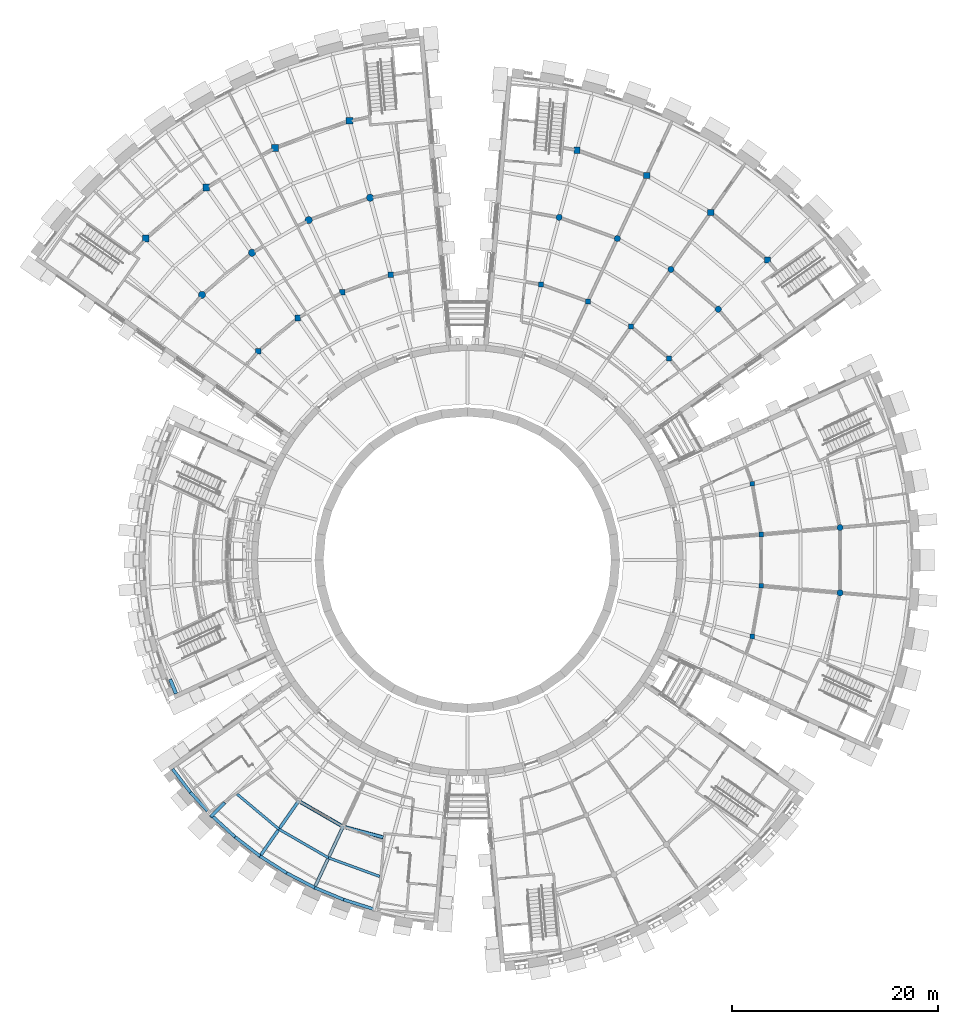
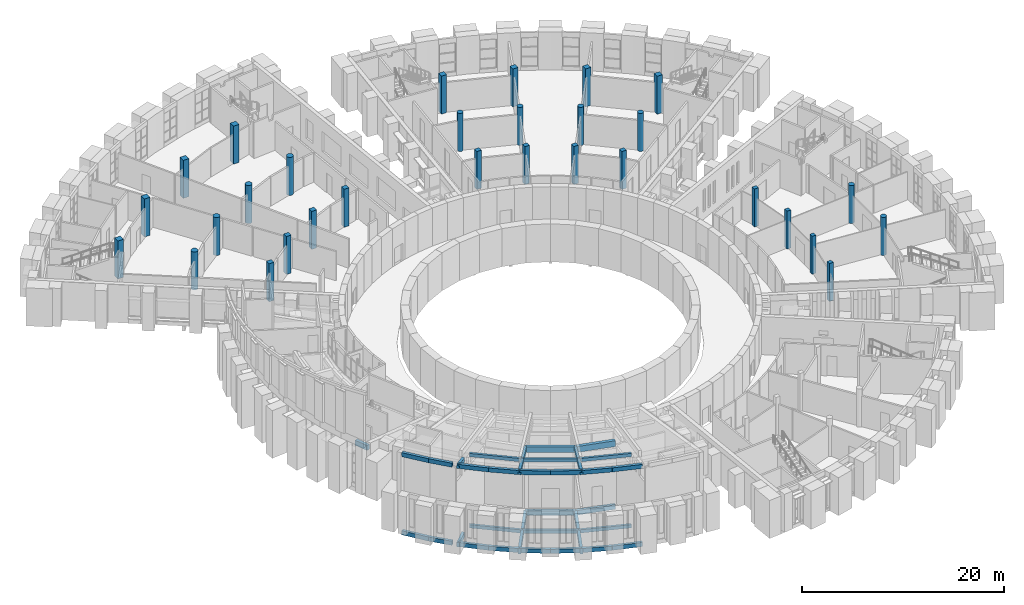
# One storey, part 3 of 66: 33 beams, 30 columns.
"""IFC4 building model written with IfcOpenShell, lengths in metres."""

from ifc_helpers import new_model, si_unit, direction, frame, origin, origin_2d, place, context, subcontext, project, spatial, rectangle, circle, extrude, material, material_profile, profile_set, type_object, element, save


model = new_model("IFC4")

# Units and contexts
model_context = context("Model", 3, precision=1e-05, world=origin(), true_north=direction((0.0, 1.0)))
body_context = subcontext(model_context, "Body", "Model", "MODEL_VIEW")
ifc_project = project(units=[si_unit("LENGTHUNIT", "METRE"), si_unit("AREAUNIT", "SQUARE_METRE"), si_unit("VOLUMEUNIT", "CUBIC_METRE"), si_unit("PLANEANGLEUNIT", "RADIAN"), si_unit("MASSUNIT", "GRAM", prefix="KILO")], contexts=[model_context])

# Site, building, storey
site_placement = place(None, origin())
site = spatial("IfcSite", under=ifc_project, at=site_placement, CompositionType="ELEMENT")
building_placement = place(site_placement, origin())
building = spatial("IfcBuilding", under=site, at=building_placement, Name="Volute Hill Aquarium", CompositionType="ELEMENT")
storey_placement = place(building_placement, frame((0.0, 0.0, 4.60009765625)))
storey = spatial("IfcBuildingStorey", under=building, at=storey_placement, Name="L02", CompositionType="ELEMENT", Elevation=4.60009765625)

# Columns
ifc_material_1 = material(Name="Concrete C35/45", Category="concrete")
ifc_material_profile_1 = material_profile(ifc_material_1, rectangle(XDim=0.449951171875, YDim=0.449951171875, at=origin_2d()), Name="RC column 450x450")
ifc_profile_set_1 = profile_set([ifc_material_profile_1], Name="Concrete C35/45")
column_type_1 = type_object("IfcColumnType", Name="Column column 450x450 C35/45", PredefinedType="COLUMN", material=ifc_profile_set_1)
for number, where, z_axis, x_axis, name in (
    (1, (27.72216796875, -7.427978515625, 0.0), (0.0, 0.0, 1.0), (1.0, 0.0, 0.0), "col/S4/L02/1.1"),
    (2, (28.5908203125, -2.50146484375, 0.0), (0.0, 0.0, 1.0), (1.0, 0.0, 0.0), "col/S4/L02/1.2"),
    (3, (28.5908203125, 2.50146484375, 0.0), (0.0, 0.0, 1.0), (1.0, 0.0, 0.0), "col/S4/L02/1.3"),
    (4, (27.72216796875, 7.427978515625, 0.0), (0.0, 0.0, 1.0), (1.0, 0.0, 0.0), "col/S4/L02/1.4"),
):
    element("IfcColumn", number, at=place(storey_placement, frame(where, z_axis=z_axis, x_axis=x_axis)), inside=storey, type_object=column_type_1, Name=name, PredefinedType="COLUMN", context=body_context, shape_type="SweptSolid", body=[
        extrude(rectangle(XDim=0.449951171875, YDim=0.449951171875, at=origin_2d()), origin(), (0.0, 0.0, 1.0), 4.599853515625),
    ])
ifc_material_2 = material(Name="Concrete C35/45", Category="concrete")
ifc_material_profile_2 = material_profile(ifc_material_2, rectangle(XDim=0.5, YDim=0.5, at=origin_2d()), Name="RC column 500x500")
ifc_profile_set_2 = profile_set([ifc_material_profile_2], Name="Concrete C35/45")
column_type_2 = type_object("IfcColumnType", Name="Column column 500x500 C35/45", PredefinedType="COLUMN", material=ifc_profile_set_2)
for number, where, z_axis, x_axis, name in (
    (5, (19.631103515625, 19.631103515625, 0.0), (0.0, 0.0, 1.0), (1.0, 0.0, 0.0), "col/S5/L02/1.1"),
    (6, (15.923828125, 22.74169921875, 0.0), (0.0, 0.0, 1.0), (1.0, 0.0, 0.0), "col/S5/L02/1.2"),
    (7, (11.73291015625, 25.161376953125, 0.0), (0.0, 0.0, 1.0), (1.0, 0.0, 0.0), "col/S5/L02/1.3"),
    (8, (7.185546875, 26.81640625, 0.0), (0.0, 0.0, 1.0), (1.0, 0.0, 0.0), "col/S5/L02/1.4"),
):
    element("IfcColumn", number, at=place(storey_placement, frame(where, z_axis=z_axis, x_axis=x_axis)), inside=storey, type_object=column_type_2, Name=name, PredefinedType="COLUMN", context=body_context, shape_type="SweptSolid", body=[
        extrude(rectangle(XDim=0.5, YDim=0.5, at=origin_2d()), origin(), (0.0, 0.0, 1.0), 4.599853515625),
    ])
ifc_material_3 = material(Name="Concrete C35/45", Category="concrete")
ifc_material_profile_3 = material_profile(ifc_material_3, rectangle(XDim=0.550048828125, YDim=0.550048828125, at=origin_2d()), Name="RC column 550x550")
ifc_profile_set_3 = profile_set([ifc_material_profile_3], Name="Concrete C35/45")
column_type_3 = type_object("IfcColumnType", Name="Column column 550x550 C35/45", PredefinedType="COLUMN", material=ifc_profile_set_3)
for number, where, z_axis, x_axis, name in (
    (9, (-7.44091796875, 27.7705078125, 0.0), (0.0, 0.0, 1.0), (1.0, 0.0, 0.0), "col/S6/L02/1.1"),
    (10, (-12.150390625, 26.056396484375, 0.0), (0.0, 0.0, 1.0), (1.0, 0.0, 0.0), "col/S6/L02/1.2"),
    (11, (-16.490234375, 23.550537109375, 0.0), (0.0, 0.0, 1.0), (1.0, 0.0, 0.0), "col/S6/L02/1.3"),
    (12, (-20.329345703125, 20.329345703125, 0.0), (0.0, 0.0, 1.0), (1.0, 0.0, 0.0), "col/S6/L02/1.4"),
):
    element("IfcColumn", number, at=place(storey_placement, frame(where, z_axis=z_axis, x_axis=x_axis)), inside=storey, type_object=column_type_3, Name=name, PredefinedType="COLUMN", context=body_context, shape_type="SweptSolid", body=[
        extrude(rectangle(XDim=0.550048828125, YDim=0.550048828125, at=origin_2d()), origin(), (0.0, 0.0, 1.0), 4.599853515625),
    ])
ifc_material_4 = material(Name="Concrete C35/45", Category="concrete")
ifc_material_profile_4 = material_profile(ifc_material_4, rectangle(XDim=0.60009765625, YDim=0.60009765625, at=origin_2d()), Name="RC column 600x600")
ifc_profile_set_4 = profile_set([ifc_material_profile_4], Name="Concrete C35/45")
column_type_4 = type_object("IfcColumnType", Name="Column column 600x600 C35/45", PredefinedType="COLUMN", material=ifc_profile_set_4)
for number, where, z_axis, x_axis, name in (
    (13, (29.194580078125, 29.194580078125, 0.0), (0.0, 0.0, 1.0), (1.0, 0.0, 0.0), "col/S5/L02/3.1"),
    (14, (23.681396484375, 33.82080078125, 0.0), (0.0, 0.0, 1.0), (1.0, 0.0, 0.0), "col/S5/L02/3.2"),
    (15, (17.448974609375, 37.419189453125, 0.0), (0.0, 0.0, 1.0), (1.0, 0.0, 0.0), "col/S5/L02/3.3"),
    (16, (10.68603515625, 39.880615234375, 0.0), (0.0, 0.0, 1.0), (1.0, 0.0, 0.0), "col/S5/L02/3.4"),
):
    element("IfcColumn", number, at=place(storey_placement, frame(where, z_axis=z_axis, x_axis=x_axis)), inside=storey, type_object=column_type_4, Name=name, PredefinedType="COLUMN", context=body_context, shape_type="SweptSolid", body=[
        extrude(rectangle(XDim=0.60009765625, YDim=0.60009765625, at=origin_2d()), origin(), (0.0, 0.0, 1.0), 4.599853515625),
    ])
ifc_material_5 = material(Name="Concrete C35/45", Category="concrete")
ifc_material_profile_5 = material_profile(ifc_material_5, rectangle(XDim=0.64990234375, YDim=0.64990234375, at=origin_2d()), Name="RC column 650x650")
ifc_profile_set_5 = profile_set([ifc_material_profile_5], Name="Concrete C35/45")
column_type_5 = type_object("IfcColumnType", Name="Column column 650x650 C35/45", PredefinedType="COLUMN", material=ifc_profile_set_5)
for number, where, z_axis, x_axis, name in (
    (17, (-11.45263671875, 42.7421875, 0.0), (0.0, 0.0, 1.0), (1.0, 0.0, 0.0), "col/S6/L02/3.1"),
    (18, (-18.700927734375, 40.10400390625, 0.0), (0.0, 0.0, 1.0), (1.0, 0.0, 0.0), "col/S6/L02/3.2"),
    (19, (-25.380859375, 36.24755859375, 0.0), (0.0, 0.0, 1.0), (1.0, 0.0, 0.0), "col/S6/L02/3.3"),
    (20, (-31.28955078125, 31.28955078125, 0.0), (0.0, 0.0, 1.0), (1.0, 0.0, 0.0), "col/S6/L02/3.4"),
):
    element("IfcColumn", number, at=place(storey_placement, frame(where, z_axis=z_axis, x_axis=x_axis)), inside=storey, type_object=column_type_5, Name=name, PredefinedType="COLUMN", context=body_context, shape_type="SweptSolid", body=[
        extrude(rectangle(XDim=0.64990234375, YDim=0.64990234375, at=origin_2d()), origin(), (0.0, 0.0, 1.0), 4.599853515625),
    ])
ifc_material_6 = material(Name="Concrete C35/45", Category="concrete")
ifc_material_profile_6 = material_profile(ifc_material_6, circle(Radius=0.300048828125, at=origin_2d()), Name="RC round column D600")
ifc_profile_set_6 = profile_set([ifc_material_profile_6], Name="Concrete C35/45")
column_type_6 = type_object("IfcColumnType", Name="Column round column D600 C35/45", PredefinedType="COLUMN", material=ifc_profile_set_6)
for number, where, z_axis, x_axis, name in (
    (21, (36.261474609375, -3.172607421875, 0.0), (0.0, 0.0, 1.0), (1.0, 0.0, 0.0), "col/S4/L02/2.2"),
    (22, (36.261474609375, 3.172607421875, 0.0), (0.0, 0.0, 1.0), (1.0, 0.0, 0.0), "col/S4/L02/2.3"),
    (23, (24.412841796875, 24.412841796875, 0.0), (0.0, 0.0, 1.0), (1.0, 0.0, 0.0), "col/S5/L02/2.1"),
    (24, (19.802734375, 28.28125, 0.0), (0.0, 0.0, 1.0), (1.0, 0.0, 0.0), "col/S5/L02/2.2"),
    (25, (14.5908203125, 31.290283203125, 0.0), (0.0, 0.0, 1.0), (1.0, 0.0, 0.0), "col/S5/L02/2.3"),
    (26, (8.935791015625, 33.3486328125, 0.0), (0.0, 0.0, 1.0), (1.0, 0.0, 0.0), "col/S5/L02/2.4"),
):
    element("IfcColumn", number, at=place(storey_placement, frame(where, z_axis=z_axis, x_axis=x_axis)), inside=storey, type_object=column_type_6, Name=name, PredefinedType="COLUMN", context=body_context, shape_type="SweptSolid", body=[
        extrude(circle(Radius=0.300048828125, at=origin_2d()), origin(), (0.0, 0.0, 1.0), 4.599853515625),
    ])
ifc_material_7 = material(Name="Concrete C35/45", Category="concrete")
ifc_material_profile_7 = material_profile(ifc_material_7, circle(Radius=0.35009765625, at=origin_2d()), Name="RC round column D700")
ifc_profile_set_7 = profile_set([ifc_material_profile_7], Name="Concrete C35/45")
column_type_7 = type_object("IfcColumnType", Name="Column round column D700 C35/45", PredefinedType="COLUMN", material=ifc_profile_set_7)
for number, where, z_axis, x_axis, name in (
    (27, (-9.447021484375, 35.25634765625, 0.0), (0.0, 0.0, 1.0), (1.0, 0.0, 0.0), "col/S6/L02/2.1"),
    (28, (-15.425537109375, 33.080078125, 0.0), (0.0, 0.0, 1.0), (1.0, 0.0, 0.0), "col/S6/L02/2.2"),
    (29, (-20.935546875, 29.89892578125, 0.0), (0.0, 0.0, 1.0), (1.0, 0.0, 0.0), "col/S6/L02/2.3"),
    (30, (-25.809326171875, 25.809326171875, 0.0), (0.0, 0.0, 1.0), (1.0, 0.0, 0.0), "col/S6/L02/2.4"),
):
    element("IfcColumn", number, at=place(storey_placement, frame(where, z_axis=z_axis, x_axis=x_axis)), inside=storey, type_object=column_type_7, Name=name, PredefinedType="COLUMN", context=body_context, shape_type="SweptSolid", body=[
        extrude(circle(Radius=0.35009765625, at=origin_2d()), origin(), (0.0, 0.0, 1.0), 4.599853515625),
    ])

# Beams
ifc_material_8 = material(Name="Concrete C35/45", Category="concrete")
ifc_material_profile_8 = material_profile(ifc_material_8, rectangle(XDim=0.300048828125, YDim=0.550048828125, at=origin_2d()), Name="RC beam 300x550")
ifc_profile_set_8 = profile_set([ifc_material_profile_8], Name="Concrete C35/45")
beam_type_1 = type_object("IfcBeamType", Name="Beam 300x550 C35/45", PredefinedType="BEAM", material=ifc_profile_set_8)
beam_1_placement = place(storey_placement, frame((-23.6181640625, -23.6181640625, -0.53515625), z_axis=(-0.707106781187, -0.707106781187, 0.0), x_axis=(0.707106781187, -0.707106781187, 0.0)))
element("IfcBeam", 31, at=beam_1_placement, inside=storey, type_object=beam_type_1, Name="bm/S2/L02/rad1.2", PredefinedType="BEAM", context=body_context, shape_type="SweptSolid", body=[
    extrude(rectangle(XDim=0.300048828125, YDim=0.550048828125, at=origin_2d()), origin(), (0.0, 0.0, 1.0), 1.89892578125),
])
beam_2_placement = place(storey_placement, frame((-16.404296875, -23.427734375, -0.53515625), z_axis=(0.866022480806, -0.500005062714, 0.0), x_axis=(0.500005062714, 0.866022480806, 0.0)))
element("IfcBeam", 32, at=beam_2_placement, inside=storey, type_object=beam_type_1, Name="bm/S2/L02/ring1.10", PredefinedType="BEAM", context=body_context, shape_type="SweptSolid", body=[
    extrude(rectangle(XDim=0.300048828125, YDim=0.550048828125, at=origin_2d()), origin(), (0.0, 0.0, 1.0), 4.9853515625),
])
beam_3_placement = place(storey_placement, frame((-12.0869140625, -25.92041015625, -0.53515625), z_axis=(0.965931611121, -0.258797454852, 0.0), x_axis=(0.258797454852, 0.965931611121, 0.0)))
element("IfcBeam", 33, at=beam_3_placement, inside=storey, type_object=beam_type_1, Name="bm/S2/L02/ring1.11", PredefinedType="BEAM", context=body_context, shape_type="SweptSolid", body=[
    extrude(rectangle(XDim=0.300048828125, YDim=0.550048828125, at=origin_2d()), origin(), (0.0, 0.0, 1.0), 4.043212890625),
])
ifc_material_9 = material(Name="Concrete C35/45", Category="concrete")
ifc_material_profile_9 = material_profile(ifc_material_9, rectangle(XDim=0.300048828125, YDim=0.64990234375, at=origin_2d()), Name="RC beam 300x650")
ifc_profile_set_9 = profile_set([ifc_material_profile_9], Name="Concrete C35/45")
beam_type_2 = type_object("IfcBeamType", Name="Beam 300x650 C35/45", PredefinedType="BEAM", material=ifc_profile_set_9)
for number, where, z_axis, x_axis, name in (
    (34, (-16.404296875, -23.427734375, -0.585205078125), (-0.57358461614, -0.819146316678, 0.0), (0.819146316678, -0.57358461614, 0.0), "bm/S2/L02/rad2.4"),
    (35, (-12.0869140625, -25.92041015625, -0.585205078125), (-0.422618139814, -0.906307843892, 0.0), (0.906307843892, -0.422618139814, 0.0), "bm/S2/L02/rad3.6"),
):
    element("IfcBeam", number, at=place(storey_placement, frame(where, z_axis=z_axis, x_axis=x_axis)), inside=storey, type_object=beam_type_2, Name=name, PredefinedType="BEAM", context=body_context, shape_type="SweptSolid", body=[
        extrude(rectangle(XDim=0.300048828125, YDim=0.64990234375, at=origin_2d()), origin(), (0.0, 0.0, 1.0), 6.699951171875),
    ])
ifc_material_10 = material(Name="Concrete C35/45", Category="concrete")
ifc_material_profile_10 = material_profile(ifc_material_10, rectangle(XDim=0.35009765625, YDim=0.699951171875, at=origin_2d()), Name="RC beam 350x700")
ifc_profile_set_10 = profile_set([ifc_material_profile_10], Name="Concrete C35/45")
beam_type_3 = type_object("IfcBeamType", Name="Beam 350x700 C35/45", PredefinedType="BEAM", material=ifc_profile_set_10)
beam_4_placement = place(storey_placement, frame((-16.404296875, -23.427734375, 7.1455078125), z_axis=(0.866022480806, -0.500005062714, 0.0), x_axis=(0.500005062714, 0.866022480806, 0.0)))
element("IfcBeam", 36, at=beam_4_placement, inside=storey, type_object=beam_type_3, Name="rb/S2/L02/ring1.10", PredefinedType="BEAM", context=body_context, shape_type="SweptSolid", body=[
    extrude(rectangle(XDim=0.35009765625, YDim=0.699951171875, at=origin_2d()), origin(), (0.0, 0.0, 1.0), 4.9853515625),
])
beam_5_placement = place(storey_placement, frame((-12.0869140625, -25.92041015625, 7.1455078125), z_axis=(0.965931611121, -0.258797454852, 0.0), x_axis=(0.258797454852, 0.965931611121, 0.0)))
element("IfcBeam", 37, at=beam_5_placement, inside=storey, type_object=beam_type_3, Name="rb/S2/L02/ring1.11", PredefinedType="BEAM", context=body_context, shape_type="SweptSolid", body=[
    extrude(rectangle(XDim=0.35009765625, YDim=0.699951171875, at=origin_2d()), origin(), (0.0, 0.0, 1.0), 4.043212890625),
])
ifc_material_11 = material(Name="Concrete C35/45", Category="concrete")
ifc_material_profile_11 = material_profile(ifc_material_11, rectangle(XDim=0.300048828125, YDim=0.5, at=origin_2d()), Name="RC edge beam 300x500")
ifc_profile_set_11 = profile_set([ifc_material_profile_11], Name="Concrete C35/45")
beam_type_4 = type_object("IfcBeamType", Name="Edge beam 300x500 C35/45", PredefinedType="BEAM", material=ifc_profile_set_11)
beam_6_placement = place(storey_placement, frame((-28.671142578125, -20.320068359375, -0.510009765625), z_axis=(0.608714055823, -0.793389688768, 0.0), x_axis=(0.793389688768, 0.608714055823, 0.0)))
element("IfcBeam", 38, at=beam_6_placement, inside=storey, type_object=beam_type_4, Name="bm/S2/L02/edgeO.22", PredefinedType="BEAM", context=body_context, shape_type="SweptSolid", body=[
    extrude(rectangle(XDim=0.300048828125, YDim=0.5, at=origin_2d()), origin(), (0.0, 0.0, 1.0), 2.8662109375),
])
beam_7_placement = place(storey_placement, frame((-26.926513671875, -22.593994140625, -0.510009765625), z_axis=(0.675692674753, -0.737183429877, 0.0), x_axis=(0.737183429877, 0.675692674753, 0.0)))
element("IfcBeam", 39, at=beam_7_placement, inside=storey, type_object=beam_type_4, Name="bm/S2/L02/edgeO.23", PredefinedType="BEAM", context=body_context, shape_type="SweptSolid", body=[
    extrude(rectangle(XDim=0.300048828125, YDim=0.5, at=origin_2d()), origin(), (0.0, 0.0, 1.0), 2.421875),
])
for number, where, z_axis, x_axis, name in (
    (40, (-24.854736328125, -24.854736328125, -0.510009765625), (0.737246668426, -0.675623674759, 0.0), (0.675623674759, 0.737246668426, 0.0), "bm/S2/L02/edgeO.24"),
    (41, (-22.593994140625, -26.926513671875, -0.510009765625), (0.793369237172, -0.608740711231, 0.0), (0.608740711231, 0.793369237172, 0.0), "bm/S2/L02/edgeO.25"),
    (42, (-20.1611328125, -28.793212890625, -0.510009765625), (0.843408953942, -0.537272125101, 0.0), (0.537272125101, 0.843408953942, 0.0), "bm/S2/L02/edgeO.26"),
    (43, (-17.574951171875, -30.440673828125, -0.510009765625), (0.886999012566, -0.46177131971, 0.0), (0.46177131971, 0.886999012566, 0.0), "bm/S2/L02/edgeO.27"),
    (44, (-14.85498046875, -31.856689453125, -0.510009765625), (0.923894568601, -0.382647130015, 0.0), (0.382647130015, 0.923894568601, 0.0), "bm/S2/L02/edgeO.28"),
    (45, (-12.02197265625, -33.030029296875, -0.510009765625), (0.953716133146, -0.300708392595, 0.0), (0.300708392595, 0.953716133146, 0.0), "bm/S2/L02/edgeO.29"),
):
    element("IfcBeam", number, at=place(storey_placement, frame(where, z_axis=z_axis, x_axis=x_axis)), inside=storey, type_object=beam_type_4, Name=name, PredefinedType="BEAM", context=body_context, shape_type="SweptSolid", body=[
        extrude(rectangle(XDim=0.300048828125, YDim=0.5, at=origin_2d()), origin(), (0.0, 0.0, 1.0), 3.06640625),
    ])
beam_8_placement = place(storey_placement, frame((-28.671142578125, -20.320068359375, 8.931640625), z_axis=(0.608675579758, -0.793339539583, 0.011243377628), x_axis=(0.793389688768, 0.608714055823, 0.0)))
element("IfcBeam", 46, at=beam_8_placement, inside=storey, type_object=beam_type_4, Name="rb/S2/L02/edgeO.22", PredefinedType="BEAM", context=body_context, shape_type="SweptSolid", body=[
    extrude(rectangle(XDim=0.300048828125, YDim=0.5, at=origin_2d()), origin(), (0.0, 0.0, 1.0), 2.8662109375),
])
beam_9_placement = place(storey_placement, frame((-26.926513671875, -22.593994140625, 8.9638671875), z_axis=(0.675649614782, -0.737136451276, -0.011289386373), x_axis=(0.737183429877, 0.675692674753, 0.0)))
element("IfcBeam", 47, at=beam_9_placement, inside=storey, type_object=beam_type_4, Name="rb/S2/L02/edgeO.23", PredefinedType="BEAM", context=body_context, shape_type="SweptSolid", body=[
    extrude(rectangle(XDim=0.300048828125, YDim=0.5, at=origin_2d()), origin(), (0.0, 0.0, 1.0), 2.422119140625),
])
for number, where, z_axis, x_axis, name in (
    (48, (-24.854736328125, -24.854736328125, 8.929443359375), (0.737200218646, -0.675581107498, 0.011225186915), (0.675623674759, 0.737246668426, 0.0), "rb/S2/L02/edgeO.24"),
    (49, (-22.593994140625, -26.926513671875, 8.9638671875), (0.793319252292, -0.608702358558, -0.01122508927), (0.608740711231, 0.793369237172, 0.0), "rb/S2/L02/edgeO.25"),
    (50, (-20.1611328125, -28.793212890625, 8.929443359375), (0.843355811212, -0.537238271883, 0.011225636683), (0.537272125101, 0.843408953942, 0.0), "rb/S2/L02/edgeO.26"),
    (51, (-17.574951171875, -30.440673828125, 8.9638671875), (0.886943128468, -0.461742226471, -0.011225112747), (0.46177131971, 0.886999012566, 0.0), "rb/S2/L02/edgeO.27"),
    (52, (-14.85498046875, -31.856689453125, 8.929443359375), (0.923836355735, -0.382623020136, 0.011225519317), (0.382647130015, 0.923894568601, 0.0), "rb/S2/L02/edgeO.28"),
    (53, (-12.02197265625, -33.030029296875, 8.9638671875), (0.953656045742, -0.300689446929, -0.011225102467), (0.300708392595, 0.953716133146, 0.0), "rb/S2/L02/edgeO.29"),
):
    element("IfcBeam", number, at=place(storey_placement, frame(where, z_axis=z_axis, x_axis=x_axis)), inside=storey, type_object=beam_type_4, Name=name, PredefinedType="BEAM", context=body_context, shape_type="SweptSolid", body=[
        extrude(rectangle(XDim=0.300048828125, YDim=0.5, at=origin_2d()), origin(), (0.0, 0.0, 1.0), 3.066650390625),
    ])
ifc_material_12 = material(Name="Concrete C35/45", Category="concrete")
ifc_material_profile_12 = material_profile(ifc_material_12, rectangle(XDim=0.35009765625, YDim=0.60009765625, at=origin_2d()), Name="RC edge beam 350x600")
ifc_profile_set_12 = profile_set([ifc_material_profile_12], Name="Concrete C35/45")
beam_type_5 = type_object("IfcBeamType", Name="Edge beam 350x600 C35/45", PredefinedType="BEAM", material=ifc_profile_set_12)
beam_10_placement = place(storey_placement, frame((-28.910888671875, -11.589599609375, 5.159912109375), z_axis=(0.38283065883, -0.923818535569, 0.0), x_axis=(0.923818535569, 0.38283065883, 0.0)))
element("IfcBeam", 54, at=beam_10_placement, inside=storey, type_object=beam_type_5, Name="rb/S1/L02/edgeO.64", PredefinedType="BEAM", context=body_context, shape_type="SweptSolid", body=[
    extrude(rectangle(XDim=0.35009765625, YDim=0.60009765625, at=origin_2d()), origin(), (0.0, 0.0, 1.0), 1.515869140625),
])
ifc_material_13 = material(Name="Concrete C35/45", Category="concrete")
ifc_material_profile_13 = material_profile(ifc_material_13, rectangle(XDim=0.25, YDim=0.39990234375, at=origin_2d()), Name="RC joist 250x400")
ifc_profile_set_13 = profile_set([ifc_material_profile_13], Name="Concrete C35/45")
beam_type_6 = type_object("IfcBeamType", Name="Joist 250x400 C35/45", PredefinedType="BEAM", material=ifc_profile_set_13)
beam_11_placement = place(storey_placement, frame((-22.392333984375, -22.759765625, -0.460205078125), z_axis=(0.766064429053, -0.642763790625, 0.0), x_axis=(0.642763790625, 0.766064429053, 0.0)))
element("IfcBeam", 55, at=beam_11_placement, inside=storey, type_object=beam_type_6, Name="bm/S2/L02/jst6", PredefinedType="BEAM", context=body_context, shape_type="SweptSolid", body=[
    extrude(rectangle(XDim=0.25, YDim=0.39990234375, at=origin_2d()), origin(), (0.0, 0.0, 1.0), 5.30859375),
])
beam_12_placement = place(storey_placement, frame((-18.32568359375, -26.171875, -0.460205078125), z_axis=(0.866016948311, -0.500014645023, 0.0), x_axis=(0.500014645023, 0.866016948311, 0.0)))
element("IfcBeam", 56, at=beam_12_placement, inside=storey, type_object=beam_type_6, Name="bm/S2/L02/jst7", PredefinedType="BEAM", context=body_context, shape_type="SweptSolid", body=[
    extrude(rectangle(XDim=0.25, YDim=0.39990234375, at=origin_2d()), origin(), (0.0, 0.0, 1.0), 5.569091796875),
])
beam_13_placement = place(storey_placement, frame((-13.502685546875, -28.95654296875, -0.460205078125), z_axis=(0.939687296872, -0.342034770303, 0.0), x_axis=(0.342034770303, 0.939687296872, 0.0)))
element("IfcBeam", 57, at=beam_13_placement, inside=storey, type_object=beam_type_6, Name="bm/S2/L02/jst8", PredefinedType="BEAM", context=body_context, shape_type="SweptSolid", body=[
    extrude(rectangle(XDim=0.25, YDim=0.39990234375, at=origin_2d()), origin(), (0.0, 0.0, 1.0), 5.308349609375),
])
beam_14_placement = place(storey_placement, frame((-22.392333984375, -22.759765625, 8.15673828125), z_axis=(0.766064429053, -0.642763790625, 0.0), x_axis=(0.642763790625, 0.766064429053, 0.0)))
element("IfcBeam", 58, at=beam_14_placement, inside=storey, type_object=beam_type_6, Name="rb/S2/L02/jst6", PredefinedType="BEAM", context=body_context, shape_type="SweptSolid", body=[
    extrude(rectangle(XDim=0.25, YDim=0.39990234375, at=origin_2d()), origin(), (0.0, 0.0, 1.0), 5.30859375),
])
beam_15_placement = place(storey_placement, frame((-18.32568359375, -26.171875, 8.15673828125), z_axis=(0.866016948311, -0.500014645023, 0.0), x_axis=(0.500014645023, 0.866016948311, 0.0)))
element("IfcBeam", 59, at=beam_15_placement, inside=storey, type_object=beam_type_6, Name="rb/S2/L02/jst7", PredefinedType="BEAM", context=body_context, shape_type="SweptSolid", body=[
    extrude(rectangle(XDim=0.25, YDim=0.39990234375, at=origin_2d()), origin(), (0.0, 0.0, 1.0), 5.569091796875),
])
beam_16_placement = place(storey_placement, frame((-13.502685546875, -28.95654296875, 8.15673828125), z_axis=(0.939687296872, -0.342034770303, 0.0), x_axis=(0.342034770303, 0.939687296872, 0.0)))
element("IfcBeam", 60, at=beam_16_placement, inside=storey, type_object=beam_type_6, Name="rb/S2/L02/jst8", PredefinedType="BEAM", context=body_context, shape_type="SweptSolid", body=[
    extrude(rectangle(XDim=0.25, YDim=0.39990234375, at=origin_2d()), origin(), (0.0, 0.0, 1.0), 5.308349609375),
])
ifc_material_14 = material(Name="Concrete C35/45", Category="concrete")
ifc_material_profile_14 = material_profile(ifc_material_14, rectangle(XDim=0.300048828125, YDim=0.5, at=origin_2d()), Name="RC rib 300x500")
ifc_profile_set_14 = profile_set([ifc_material_profile_14], Name="Concrete C35/45")
beam_type_7 = type_object("IfcBeamType", Name="Roof rib 300x500 C35/45", PredefinedType="BEAM", material=ifc_profile_set_14)
beam_17_placement = place(storey_placement, frame((-23.6181640625, -23.6181640625, 8.4716796875), z_axis=(-0.684830087001, -0.684830087001, 0.249029122546), x_axis=(0.707106781187, -0.707106781187, 0.0)))
element("IfcBeam", 61, at=beam_17_placement, inside=storey, type_object=beam_type_7, Name="rb/S2/L02/rib1.2", PredefinedType="BEAM", context=body_context, shape_type="SweptSolid", body=[
    extrude(rectangle(XDim=0.300048828125, YDim=0.5, at=origin_2d()), origin(), (0.0, 0.0, 1.0), 1.960693359375),
])
for number, where, z_axis, x_axis, name in (
    (62, (-16.404296875, -23.427734375, 7.2373046875), (-0.555516670068, -0.793343163912, 0.249013761769), (0.819146316678, -0.57358461614, 0.0), "rb/S2/L02/rib2.4"),
    (63, (-12.0869140625, -25.92041015625, 7.2373046875), (-0.40930565436, -0.877759116679, 0.249013683149), (0.906307843892, -0.422618139814, 0.0), "rb/S2/L02/rib3.6"),
):
    element("IfcBeam", number, at=place(storey_placement, frame(where, z_axis=z_axis, x_axis=x_axis)), inside=storey, type_object=beam_type_7, Name=name, PredefinedType="BEAM", context=body_context, shape_type="SweptSolid", body=[
        extrude(rectangle(XDim=0.300048828125, YDim=0.5, at=origin_2d()), origin(), (0.0, 0.0, 1.0), 6.91796875),
    ])

save(model, "model.ifc")
